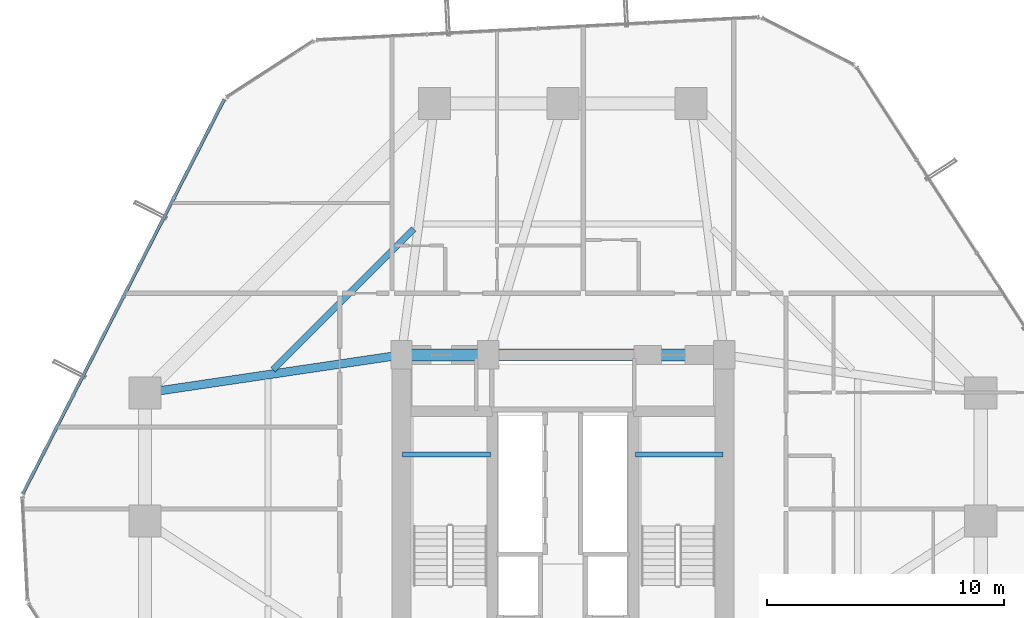
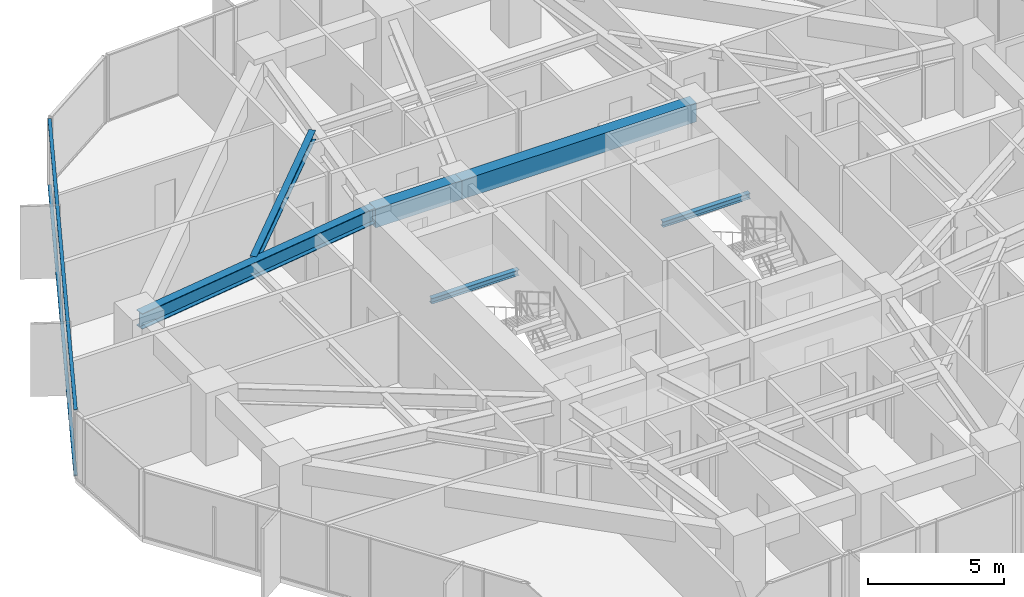
# One storey, part 13 of 37: 6 beams, 2 members, 1 element without a shape of its own.
"""IFC4 building model written with IfcOpenShell, lengths in metres."""

from ifc_helpers import new_model, si_unit, direction, frame, origin, origin_2d, place, context, subcontext, project, spatial, rectangle, hollow_rectangle, i_section, extrude, source, transform, mapped, material, layer, layer_set, material_profile, profile_set, type_object, element, aggregate, save


model = new_model("IFC4")

# Units and contexts
model_context = context("Model", 3, precision=1e-05, world=origin(), true_north=direction((0.0, 1.0)))
body_context = subcontext(model_context, "Body", "Model", "MODEL_VIEW")
ifc_project = project(units=[si_unit("LENGTHUNIT", "METRE"), si_unit("AREAUNIT", "SQUARE_METRE"), si_unit("VOLUMEUNIT", "CUBIC_METRE"), si_unit("PLANEANGLEUNIT", "RADIAN"), si_unit("MASSUNIT", "GRAM", prefix="KILO")], contexts=[model_context])

# Site, building, storey
site_placement = place(None, origin())
site = spatial("IfcSite", under=ifc_project, at=site_placement, CompositionType="ELEMENT")
building_placement = place(site_placement, origin())
building = spatial("IfcBuilding", under=site, at=building_placement, Name="Veraguas Prism Commons", CompositionType="ELEMENT")
storey_placement = place(building_placement, frame((0.0, 0.0, 33.800048828125)))
storey = spatial("IfcBuildingStorey", under=building, at=storey_placement, Name="L08", CompositionType="ELEMENT", Elevation=33.800048828125)

# Beams
ifc_material_1 = material(Name="Concrete C50/60", Category="concrete")
ifc_material_profile_1 = material_profile(ifc_material_1, rectangle(XDim=0.5, YDim=0.85009765625, at=origin_2d()), Name="RC500X850")
ifc_profile_set_1 = profile_set([ifc_material_profile_1], Name="Concrete C50/60")
beam_type_1 = type_object("IfcBeamType", Name="Core Coupling Beam RC 500x850", PredefinedType="BEAM", material=ifc_profile_set_1)
beam_1_placement = place(storey_placement, frame((17.199951171875, 31.0, 2.574951171875), z_axis=(1.0, 0.0, 0.0), x_axis=(0.0, 1.0, 0.0)))
element("IfcBeam", 1, at=beam_1_placement, inside=storey, type_object=beam_type_1, Name="Core Coupling Beam L08-CRN1", PredefinedType="BEAM", context=body_context, shape_type="SweptSolid", body=[
    extrude(rectangle(XDim=0.5, YDim=0.85009765625, at=origin_2d()), origin(), (0.0, 0.0, 1.0), 3.650146484375),
])
beam_2_placement = place(storey_placement, frame((20.85009765625, 31.0, 2.574951171875), z_axis=(1.0, 0.0, 0.0), x_axis=(0.0, 1.0, 0.0)))
element("IfcBeam", 2, at=beam_2_placement, inside=storey, type_object=beam_type_1, Name="Core Coupling Beam L08-CRN2", PredefinedType="BEAM", context=body_context, shape_type="SweptSolid", body=[
    extrude(rectangle(XDim=0.5, YDim=0.85009765625, at=origin_2d()), origin(), (0.0, 0.0, 1.0), 9.949951171875),
])
ifc_material_2 = material(Name="Steel ASTM A992 Grade 50", Category="steel")
ifc_material_profile_2 = material_profile(ifc_material_2, i_section(OverallWidth=0.260986328125, OverallDepth=0.419921875, WebThickness=0.01171875, FlangeThickness=0.019287109375, at=origin_2d()), Name="W410X114")
ifc_profile_set_2 = profile_set([ifc_material_profile_2], Name="Steel ASTM A992 Grade 50")
beam_type_2 = type_object("IfcBeamType", Name="Lower Floor Joist W410x114", PredefinedType="JOIST", material=ifc_profile_set_2)
beam_3_placement = place(storey_placement, frame((17.723388671875, 36.3076171875, 2.7900390625), z_axis=(-0.707092226423, -0.70712133565, 0.0), x_axis=(0.70712133565, -0.707092226423, 0.0)))
element("IfcBeam", 3, at=beam_3_placement, inside=storey, type_object=beam_type_2, Name="Composite Floor Joist L08-JS06", PredefinedType="JOIST", context=body_context, shape_type="SweptSolid", body=[
    extrude(i_section(OverallWidth=0.260986328125, OverallDepth=0.419921875, WebThickness=0.01171875, FlangeThickness=0.019287109375, at=origin_2d()), origin(), (0.0, 0.0, 1.0), 8.386962890625),
])
ifc_material_profile_3 = material_profile(ifc_material_2, i_section(OverallWidth=0.202880859375, OverallDepth=0.251953125, WebThickness=0.008056640625, FlangeThickness=0.013427734375, at=origin_2d()), Name="W250X58")
ifc_profile_set_3 = profile_set([ifc_material_profile_3], Name="Steel ASTM A992 Grade 50")
beam_type_3 = type_object("IfcBeamType", Name="Structural Opening Lintel W250x58", PredefinedType="LINTEL", material=ifc_profile_set_3)
for number, where, z_axis, x_axis, name in (
    (4, (17.25, 26.800048828125, 1.299072265625), (1.0, 0.0, 0.0), (0.0, 1.0, 0.0), "Stair ST-01 Half-Landing Support Beam L08-1"),
    (5, (27.050048828125, 26.800048828125, 1.299072265625), (1.0, 0.0, 0.0), (0.0, 1.0, 0.0), "Stair ST-02 Half-Landing Support Beam L08-1"),
):
    element("IfcBeam", number, at=place(storey_placement, frame(where, z_axis=z_axis, x_axis=x_axis)), inside=storey, type_object=beam_type_3, Name=name, PredefinedType="LINTEL", context=body_context, shape_type="SweptSolid", body=[
        extrude(i_section(OverallWidth=0.202880859375, OverallDepth=0.251953125, WebThickness=0.008056640625, FlangeThickness=0.013427734375, at=origin_2d()), origin(), (0.0, 0.0, 1.0), 3.699951171875),
    ])
ifc_material_profile_4 = material_profile(ifc_material_2, i_section(OverallWidth=0.35595703125, OverallDepth=0.700927734375, WebThickness=0.016845703125, FlangeThickness=0.02734375, at=origin_2d()), Name="W690X240")
ifc_profile_set_4 = profile_set([ifc_material_profile_4], Name="Steel ASTM A992 Grade 50")
beam_type_4 = type_object("IfcBeamType", Name="Zone 1 Radial Girder W690x240", PredefinedType="BEAM", material=ifc_profile_set_4)
beam_4_placement = place(storey_placement, frame((6.39990234375, 29.39990234375, 2.6494140625), z_axis=(0.989202261707, 0.146556765224, 0.0), x_axis=(-0.146556765224, 0.989202261707, 0.0)))
element("IfcBeam", 6, at=beam_4_placement, inside=storey, type_object=beam_type_4, Name="Radial Floor Girder L08-RD07", PredefinedType="BEAM", context=body_context, shape_type="SweptSolid", body=[
    extrude(i_section(OverallWidth=0.35595703125, OverallDepth=0.700927734375, WebThickness=0.016845703125, FlangeThickness=0.02734375, at=origin_2d()), origin(), (0.0, 0.0, 1.0), 10.91796875),
])

# Curtain wall, members
ifc_material_3 = material(Name="Anodised aluminium EN AW-6063 T6", Category="aluminium")
ifc_layer = layer(ifc_material_3, 0.169921875, Name="Unitised Flush Curtain Wall Zone 1", Category="aluminium")
ifc_layer_set = layer_set([ifc_layer], Name="Anodised aluminium EN AW-6063 T6")
curtain_wall_type = type_object("IfcCurtainWallType", Name="Unitised Flush Curtain Wall Zone 1", PredefinedType="NOTDEFINED", material=ifc_layer_set)
curtain_wall_placement = place(storey_placement, origin())
curtain_wall = element("IfcCurtainWall", 7, at=curtain_wall_placement, inside=storey, type_object=curtain_wall_type, Name="Tower Facade Curtain Wall L08-F3", PredefinedType="NOTDEFINED")
ifc_material_profile_5 = material_profile(ifc_material_3, hollow_rectangle(XDim=0.054931640625, YDim=0.135009765625, WallThickness=0.0029296875, at=origin_2d()), Name="AL55X135X3")
ifc_profile_set_5 = profile_set([ifc_material_profile_5], Name="Anodised aluminium EN AW-6063 T6")
member_type = type_object("IfcMemberType", Name="Curtain Wall Transom Standard AL 55x135x3", PredefinedType="USERDEFINED", material=ifc_profile_set_5)
shared_shape = source(origin(), body_context, "Body", "SweptSolid", [
    extrude(hollow_rectangle(XDim=0.054931640625, YDim=0.135009765625, WallThickness=0.0029296875, at=origin_2d()), origin(), (0.0, 0.0, 1.0), 18.6240234375),
])
member_1_placement = place(storey_placement, frame((9.726806640625, 41.748046875, 0.02734375), z_axis=(-0.454920728031, -0.890531937219, 0.0), x_axis=(0.0, 0.0, 1.0)))
member_1 = element("IfcMember", 8, at=member_1_placement, type_object=member_type, Name="CW-Z1 Transom 1", ObjectType="TRANSOM", PredefinedType="USERDEFINED", context=body_context, shape_type="MappedRepresentation", body=[
    mapped(shared_shape, transform((0.0, 0.0, 0.0), scale=1.0)),
])
member_2_placement = place(storey_placement, frame((9.726806640625, 41.748046875, 2.972412109375), z_axis=(-0.454920728031, -0.890531937219, 0.0), x_axis=(0.0, 0.0, 1.0)))
member_2 = element("IfcMember", 9, at=member_2_placement, type_object=member_type, Name="CW-Z1 Transom 2", ObjectType="TRANSOM", PredefinedType="USERDEFINED", context=body_context, shape_type="MappedRepresentation", body=[
    mapped(shared_shape, transform((0.0, 0.0, 0.0), scale=1.0)),
])
aggregate(curtain_wall, [member_1, member_2])

save(model, "model.ifc")
